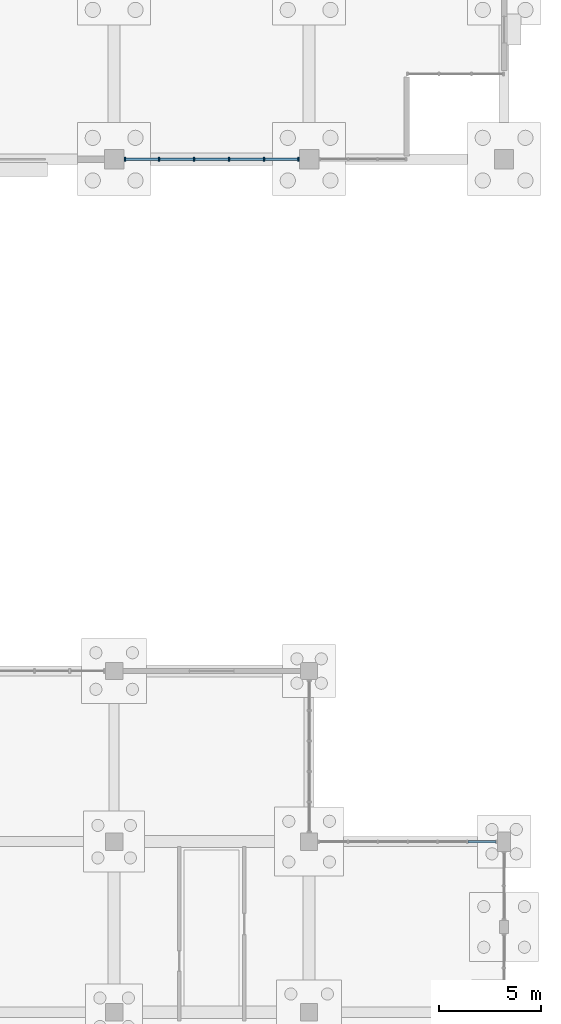
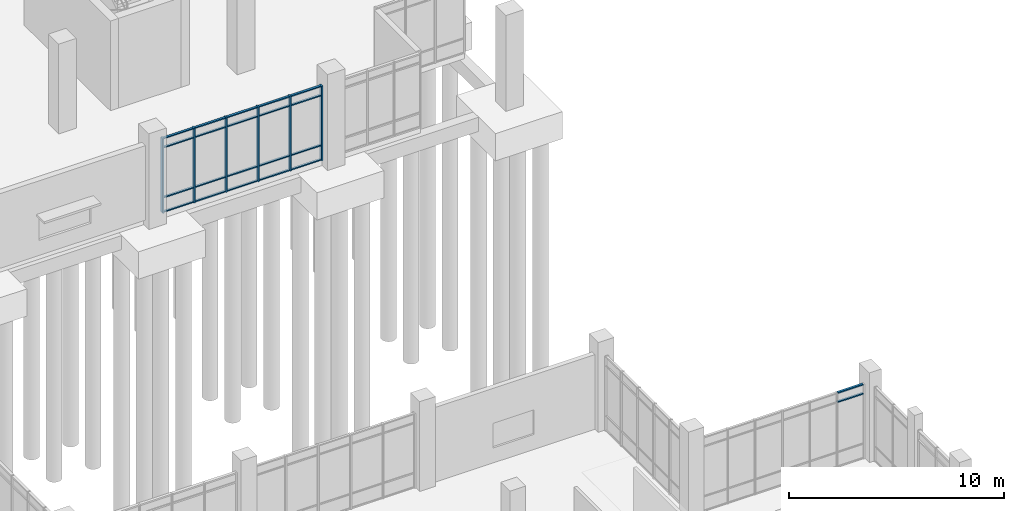
# One storey, part 64 of 136: 28 members, 2 elements without a shape of their own.
"""IFC4 building model written with IfcOpenShell, lengths in metres."""

from ifc_helpers import new_model, si_unit, direction, frame, origin, origin_2d, place, context, subcontext, project, spatial, rectangle, extrude, material, material_profile, profile_set, type_object, element, aggregate, save


model = new_model("IFC4")

# Units and contexts
model_context = context("Model", 3, precision=1e-05, world=origin(), true_north=direction((0.0, 1.0)))
body_context = subcontext(model_context, "Body", "Model", "MODEL_VIEW")
ifc_project = project(units=[si_unit("LENGTHUNIT", "METRE"), si_unit("AREAUNIT", "SQUARE_METRE"), si_unit("VOLUMEUNIT", "CUBIC_METRE"), si_unit("PLANEANGLEUNIT", "RADIAN"), si_unit("MASSUNIT", "GRAM", prefix="KILO")], contexts=[model_context])

# Site, building, storey
site_placement = place(None, origin())
site = spatial("IfcSite", under=ifc_project, at=site_placement, CompositionType="ELEMENT")
building_placement = place(site_placement, origin())
building = spatial("IfcBuilding", under=site, at=building_placement, Name="Oolite Switchyard Hospital", CompositionType="ELEMENT")
storey_placement = place(building_placement, origin())
storey = spatial("IfcBuildingStorey", under=building, at=storey_placement, Name="L00", CompositionType="ELEMENT", Elevation=0.0)

# Curtain wall, members
ifc_material_1 = material(Name="Thermally broken aluminum frame with laminated impact glazing", Category="aluminium")
curtain_wall_type = type_object("IfcCurtainWallType", Name="CW-UNIT-96X51", PredefinedType="USERDEFINED", material=ifc_material_1)
curtain_wall_1_placement = place(storey_placement, origin())
curtain_wall_1 = element("IfcCurtainWall", 1, at=curtain_wall_1_placement, inside=storey, type_object=curtain_wall_type, Name="L00 Unitised Curtain Wall 38", ObjectType="UNITISED", PredefinedType="USERDEFINED")
ifc_material_2 = material(Name="Aluminium 6063-T6", Category="aluminium")
ifc_material_profile_1 = material_profile(ifc_material_2, rectangle(XDim=0.199951171875, YDim=0.074951171875, at=origin_2d()), Name="CWM75X200")
ifc_profile_set_1 = profile_set([ifc_material_profile_1], Name="Aluminium 6063-T6")
member_type_1 = type_object("IfcMemberType", Name="CW-MUL-260", PredefinedType="MULLION", material=ifc_profile_set_1)
member_1_placement = place(storey_placement, frame((201.072509765625, 100.800048828125, 0.0), z_axis=(0.0, 0.0, 1.0), x_axis=(0.0, -1.0, 0.0)))
member_1 = element("IfcMember", 2, at=member_1_placement, type_object=member_type_1, Name="CW-01 mullion 1", PredefinedType="MULLION", context=body_context, shape_type="SweptSolid", body=[
    extrude(rectangle(XDim=0.199951171875, YDim=0.074951171875, at=origin_2d()), origin(), (0.0, 0.0, 1.0), 4.239990234375),
])
member_2_placement = place(storey_placement, frame((199.385986328125, 100.800048828125, 0.0), z_axis=(0.0, 0.0, 1.0), x_axis=(0.0, -1.0, 0.0)))
member_2 = element("IfcMember", 3, at=member_2_placement, type_object=member_type_1, Name="CW-01 mullion 2", PredefinedType="MULLION", context=body_context, shape_type="SweptSolid", body=[
    extrude(rectangle(XDim=0.199951171875, YDim=0.074951171875, at=origin_2d()), origin(), (0.0, 0.0, 1.0), 4.239990234375),
])
member_3_placement = place(storey_placement, frame((197.662109375, 100.800048828125, 0.0), z_axis=(0.0, 0.0, 1.0), x_axis=(0.0, -1.0, 0.0)))
member_3 = element("IfcMember", 4, at=member_3_placement, type_object=member_type_1, Name="CW-01 mullion 3", PredefinedType="MULLION", context=body_context, shape_type="SweptSolid", body=[
    extrude(rectangle(XDim=0.199951171875, YDim=0.074951171875, at=origin_2d()), origin(), (0.0, 0.0, 1.0), 4.239990234375),
])
member_4_placement = place(storey_placement, frame((195.93798828125, 100.800048828125, 0.0), z_axis=(0.0, 0.0, 1.0), x_axis=(0.0, -1.0, 0.0)))
member_4 = element("IfcMember", 5, at=member_4_placement, type_object=member_type_1, Name="CW-01 mullion 4", PredefinedType="MULLION", context=body_context, shape_type="SweptSolid", body=[
    extrude(rectangle(XDim=0.199951171875, YDim=0.074951171875, at=origin_2d()), origin(), (0.0, 0.0, 1.0), 4.239990234375),
])
member_5_placement = place(storey_placement, frame((194.214111328125, 100.800048828125, 0.0), z_axis=(0.0, 0.0, 1.0), x_axis=(0.0, -1.0, 0.0)))
member_5 = element("IfcMember", 6, at=member_5_placement, type_object=member_type_1, Name="CW-01 mullion 5", PredefinedType="MULLION", context=body_context, shape_type="SweptSolid", body=[
    extrude(rectangle(XDim=0.199951171875, YDim=0.074951171875, at=origin_2d()), origin(), (0.0, 0.0, 1.0), 4.239990234375),
])
member_6_placement = place(storey_placement, frame((192.527587890625, 100.800048828125, 0.0), z_axis=(0.0, 0.0, 1.0), x_axis=(0.0, -1.0, 0.0)))
member_6 = element("IfcMember", 7, at=member_6_placement, type_object=member_type_1, Name="CW-01 mullion 6", PredefinedType="MULLION", context=body_context, shape_type="SweptSolid", body=[
    extrude(rectangle(XDim=0.199951171875, YDim=0.074951171875, at=origin_2d()), origin(), (0.0, 0.0, 1.0), 4.239990234375),
])

curtain_wall_2_placement = place(storey_placement, origin())
curtain_wall_2 = element("IfcCurtainWall", 8, at=curtain_wall_2_placement, inside=storey, type_object=curtain_wall_type, Name="L00 Unitised Curtain Wall 24", ObjectType="UNITISED", PredefinedType="USERDEFINED")
ifc_material_profile_2 = material_profile(ifc_material_2, rectangle(XDim=0.1201171875, YDim=0.06005859375, at=origin_2d()), Name="CWT60X120")
ifc_profile_set_2 = profile_set([ifc_material_profile_2], Name="Aluminium 6063-T6")
member_type_2 = type_object("IfcMemberType", Name="CW-TRN-150", PredefinedType="USERDEFINED", material=ifc_profile_set_2)
member_7_placement = place(storey_placement, frame((209.419921875, 67.199951171875, 3.68994140625), z_axis=(1.0, 0.0, 0.0), x_axis=(0.0, 1.0, 0.0)))
member_7 = element("IfcMember", 9, at=member_7_placement, type_object=member_type_2, Name="CW-01 transom 6.3", ObjectType="TRANSOM", PredefinedType="USERDEFINED", context=body_context, shape_type="SweptSolid", body=[
    extrude(rectangle(XDim=0.1201171875, YDim=0.06005859375, at=origin_2d()), origin(), (0.0, 0.0, 1.0), 1.380126953125),
])
member_8_placement = place(storey_placement, frame((209.419921875, 67.199951171875, 4.2099609375), z_axis=(1.0, 0.0, 0.0), x_axis=(0.0, 1.0, 0.0)))
member_8 = element("IfcMember", 10, at=member_8_placement, type_object=member_type_2, Name="CW-01 transom 6.4", ObjectType="TRANSOM", PredefinedType="USERDEFINED", context=body_context, shape_type="SweptSolid", body=[
    extrude(rectangle(XDim=0.1201171875, YDim=0.06005859375, at=origin_2d()), origin(), (0.0, 0.0, 1.0), 1.380126953125),
])
aggregate(curtain_wall_2, [member_7, member_8])

# Member
member_9_placement = place(storey_placement, frame((201.034912109375, 100.800048828125, 0.030029296875), z_axis=(-1.0, 0.0, 0.0), x_axis=(0.0, -1.0, 0.0)))
member_9 = element("IfcMember", 11, at=member_9_placement, type_object=member_type_2, Name="CW-01 transom 1.1", ObjectType="TRANSOM", PredefinedType="USERDEFINED", context=body_context, shape_type="SweptSolid", body=[
    extrude(rectangle(XDim=0.1201171875, YDim=0.06005859375, at=origin_2d()), origin(), (0.0, 0.0, 1.0), 1.611328125),
])

member_10_placement = place(storey_placement, frame((201.034912109375, 100.800048828125, 0.85009765625), z_axis=(-1.0, 0.0, 0.0), x_axis=(0.0, -1.0, 0.0)))
member_10 = element("IfcMember", 12, at=member_10_placement, type_object=member_type_2, Name="CW-01 transom 1.2", ObjectType="TRANSOM", PredefinedType="USERDEFINED", context=body_context, shape_type="SweptSolid", body=[
    extrude(rectangle(XDim=0.1201171875, YDim=0.06005859375, at=origin_2d()), origin(), (0.0, 0.0, 1.0), 1.611328125),
])

member_11_placement = place(storey_placement, frame((201.034912109375, 100.800048828125, 3.68994140625), z_axis=(-1.0, 0.0, 0.0), x_axis=(0.0, -1.0, 0.0)))
member_11 = element("IfcMember", 13, at=member_11_placement, type_object=member_type_2, Name="CW-01 transom 1.3", ObjectType="TRANSOM", PredefinedType="USERDEFINED", context=body_context, shape_type="SweptSolid", body=[
    extrude(rectangle(XDim=0.1201171875, YDim=0.06005859375, at=origin_2d()), origin(), (0.0, 0.0, 1.0), 1.611328125),
])

member_12_placement = place(storey_placement, frame((201.034912109375, 100.800048828125, 4.2099609375), z_axis=(-1.0, 0.0, 0.0), x_axis=(0.0, -1.0, 0.0)))
member_12 = element("IfcMember", 14, at=member_12_placement, type_object=member_type_2, Name="CW-01 transom 1.4", ObjectType="TRANSOM", PredefinedType="USERDEFINED", context=body_context, shape_type="SweptSolid", body=[
    extrude(rectangle(XDim=0.1201171875, YDim=0.06005859375, at=origin_2d()), origin(), (0.0, 0.0, 1.0), 1.611328125),
])

member_13_placement = place(storey_placement, frame((199.348388671875, 100.800048828125, 0.030029296875), z_axis=(-1.0, 0.0, 0.0), x_axis=(0.0, -1.0, 0.0)))
member_13 = element("IfcMember", 15, at=member_13_placement, type_object=member_type_2, Name="CW-01 transom 2.1", ObjectType="TRANSOM", PredefinedType="USERDEFINED", context=body_context, shape_type="SweptSolid", body=[
    extrude(rectangle(XDim=0.1201171875, YDim=0.06005859375, at=origin_2d()), origin(), (0.0, 0.0, 1.0), 1.64892578125),
])

member_14_placement = place(storey_placement, frame((199.348388671875, 100.800048828125, 0.85009765625), z_axis=(-1.0, 0.0, 0.0), x_axis=(0.0, -1.0, 0.0)))
member_14 = element("IfcMember", 16, at=member_14_placement, type_object=member_type_2, Name="CW-01 transom 2.2", ObjectType="TRANSOM", PredefinedType="USERDEFINED", context=body_context, shape_type="SweptSolid", body=[
    extrude(rectangle(XDim=0.1201171875, YDim=0.06005859375, at=origin_2d()), origin(), (0.0, 0.0, 1.0), 1.64892578125),
])

member_15_placement = place(storey_placement, frame((199.348388671875, 100.800048828125, 3.68994140625), z_axis=(-1.0, 0.0, 0.0), x_axis=(0.0, -1.0, 0.0)))
member_15 = element("IfcMember", 17, at=member_15_placement, type_object=member_type_2, Name="CW-01 transom 2.3", ObjectType="TRANSOM", PredefinedType="USERDEFINED", context=body_context, shape_type="SweptSolid", body=[
    extrude(rectangle(XDim=0.1201171875, YDim=0.06005859375, at=origin_2d()), origin(), (0.0, 0.0, 1.0), 1.64892578125),
])

member_16_placement = place(storey_placement, frame((199.348388671875, 100.800048828125, 4.2099609375), z_axis=(-1.0, 0.0, 0.0), x_axis=(0.0, -1.0, 0.0)))
member_16 = element("IfcMember", 18, at=member_16_placement, type_object=member_type_2, Name="CW-01 transom 2.4", ObjectType="TRANSOM", PredefinedType="USERDEFINED", context=body_context, shape_type="SweptSolid", body=[
    extrude(rectangle(XDim=0.1201171875, YDim=0.06005859375, at=origin_2d()), origin(), (0.0, 0.0, 1.0), 1.64892578125),
])

member_17_placement = place(storey_placement, frame((197.62451171875, 100.800048828125, 0.030029296875), z_axis=(-1.0, 0.0, 0.0), x_axis=(0.0, -1.0, 0.0)))
member_17 = element("IfcMember", 19, at=member_17_placement, type_object=member_type_2, Name="CW-01 transom 3.1", ObjectType="TRANSOM", PredefinedType="USERDEFINED", context=body_context, shape_type="SweptSolid", body=[
    extrude(rectangle(XDim=0.1201171875, YDim=0.06005859375, at=origin_2d()), origin(), (0.0, 0.0, 1.0), 1.64892578125),
])

member_18_placement = place(storey_placement, frame((197.62451171875, 100.800048828125, 0.85009765625), z_axis=(-1.0, 0.0, 0.0), x_axis=(0.0, -1.0, 0.0)))
member_18 = element("IfcMember", 20, at=member_18_placement, type_object=member_type_2, Name="CW-01 transom 3.2", ObjectType="TRANSOM", PredefinedType="USERDEFINED", context=body_context, shape_type="SweptSolid", body=[
    extrude(rectangle(XDim=0.1201171875, YDim=0.06005859375, at=origin_2d()), origin(), (0.0, 0.0, 1.0), 1.64892578125),
])

member_19_placement = place(storey_placement, frame((197.62451171875, 100.800048828125, 3.68994140625), z_axis=(-1.0, 0.0, 0.0), x_axis=(0.0, -1.0, 0.0)))
member_19 = element("IfcMember", 21, at=member_19_placement, type_object=member_type_2, Name="CW-01 transom 3.3", ObjectType="TRANSOM", PredefinedType="USERDEFINED", context=body_context, shape_type="SweptSolid", body=[
    extrude(rectangle(XDim=0.1201171875, YDim=0.06005859375, at=origin_2d()), origin(), (0.0, 0.0, 1.0), 1.64892578125),
])

member_20_placement = place(storey_placement, frame((197.62451171875, 100.800048828125, 4.2099609375), z_axis=(-1.0, 0.0, 0.0), x_axis=(0.0, -1.0, 0.0)))
member_20 = element("IfcMember", 22, at=member_20_placement, type_object=member_type_2, Name="CW-01 transom 3.4", ObjectType="TRANSOM", PredefinedType="USERDEFINED", context=body_context, shape_type="SweptSolid", body=[
    extrude(rectangle(XDim=0.1201171875, YDim=0.06005859375, at=origin_2d()), origin(), (0.0, 0.0, 1.0), 1.64892578125),
])

member_21_placement = place(storey_placement, frame((195.900390625, 100.800048828125, 0.030029296875), z_axis=(-1.0, 0.0, 0.0), x_axis=(0.0, -1.0, 0.0)))
member_21 = element("IfcMember", 23, at=member_21_placement, type_object=member_type_2, Name="CW-01 transom 4.1", ObjectType="TRANSOM", PredefinedType="USERDEFINED", context=body_context, shape_type="SweptSolid", body=[
    extrude(rectangle(XDim=0.1201171875, YDim=0.06005859375, at=origin_2d()), origin(), (0.0, 0.0, 1.0), 1.64892578125),
])

member_22_placement = place(storey_placement, frame((195.900390625, 100.800048828125, 0.85009765625), z_axis=(-1.0, 0.0, 0.0), x_axis=(0.0, -1.0, 0.0)))
member_22 = element("IfcMember", 24, at=member_22_placement, type_object=member_type_2, Name="CW-01 transom 4.2", ObjectType="TRANSOM", PredefinedType="USERDEFINED", context=body_context, shape_type="SweptSolid", body=[
    extrude(rectangle(XDim=0.1201171875, YDim=0.06005859375, at=origin_2d()), origin(), (0.0, 0.0, 1.0), 1.64892578125),
])

member_23_placement = place(storey_placement, frame((195.900390625, 100.800048828125, 3.68994140625), z_axis=(-1.0, 0.0, 0.0), x_axis=(0.0, -1.0, 0.0)))
member_23 = element("IfcMember", 25, at=member_23_placement, type_object=member_type_2, Name="CW-01 transom 4.3", ObjectType="TRANSOM", PredefinedType="USERDEFINED", context=body_context, shape_type="SweptSolid", body=[
    extrude(rectangle(XDim=0.1201171875, YDim=0.06005859375, at=origin_2d()), origin(), (0.0, 0.0, 1.0), 1.64892578125),
])

member_24_placement = place(storey_placement, frame((195.900390625, 100.800048828125, 4.2099609375), z_axis=(-1.0, 0.0, 0.0), x_axis=(0.0, -1.0, 0.0)))
member_24 = element("IfcMember", 26, at=member_24_placement, type_object=member_type_2, Name="CW-01 transom 4.4", ObjectType="TRANSOM", PredefinedType="USERDEFINED", context=body_context, shape_type="SweptSolid", body=[
    extrude(rectangle(XDim=0.1201171875, YDim=0.06005859375, at=origin_2d()), origin(), (0.0, 0.0, 1.0), 1.64892578125),
])

member_25_placement = place(storey_placement, frame((194.176513671875, 100.800048828125, 0.030029296875), z_axis=(-1.0, 0.0, 0.0), x_axis=(0.0, -1.0, 0.0)))
member_25 = element("IfcMember", 27, at=member_25_placement, type_object=member_type_2, Name="CW-01 transom 5.1", ObjectType="TRANSOM", PredefinedType="USERDEFINED", context=body_context, shape_type="SweptSolid", body=[
    extrude(rectangle(XDim=0.1201171875, YDim=0.06005859375, at=origin_2d()), origin(), (0.0, 0.0, 1.0), 1.611572265625),
])

member_26_placement = place(storey_placement, frame((194.176513671875, 100.800048828125, 0.85009765625), z_axis=(-1.0, 0.0, 0.0), x_axis=(0.0, -1.0, 0.0)))
member_26 = element("IfcMember", 28, at=member_26_placement, type_object=member_type_2, Name="CW-01 transom 5.2", ObjectType="TRANSOM", PredefinedType="USERDEFINED", context=body_context, shape_type="SweptSolid", body=[
    extrude(rectangle(XDim=0.1201171875, YDim=0.06005859375, at=origin_2d()), origin(), (0.0, 0.0, 1.0), 1.611572265625),
])

member_27_placement = place(storey_placement, frame((194.176513671875, 100.800048828125, 3.68994140625), z_axis=(-1.0, 0.0, 0.0), x_axis=(0.0, -1.0, 0.0)))
member_27 = element("IfcMember", 29, at=member_27_placement, type_object=member_type_2, Name="CW-01 transom 5.3", ObjectType="TRANSOM", PredefinedType="USERDEFINED", context=body_context, shape_type="SweptSolid", body=[
    extrude(rectangle(XDim=0.1201171875, YDim=0.06005859375, at=origin_2d()), origin(), (0.0, 0.0, 1.0), 1.611572265625),
])

member_28_placement = place(storey_placement, frame((194.176513671875, 100.800048828125, 4.2099609375), z_axis=(-1.0, 0.0, 0.0), x_axis=(0.0, -1.0, 0.0)))
member_28 = element("IfcMember", 30, at=member_28_placement, type_object=member_type_2, Name="CW-01 transom 5.4", ObjectType="TRANSOM", PredefinedType="USERDEFINED", context=body_context, shape_type="SweptSolid", body=[
    extrude(rectangle(XDim=0.1201171875, YDim=0.06005859375, at=origin_2d()), origin(), (0.0, 0.0, 1.0), 1.611572265625),
])

aggregate(curtain_wall_1, [member_1, member_2, member_3, member_4, member_5, member_6, member_9, member_10, member_11, member_12, member_13, member_14, member_15, member_16, member_17, member_18, member_19, member_20, member_21, member_22, member_23, member_24, member_25, member_26, member_27, member_28])

save(model, "model.ifc")
